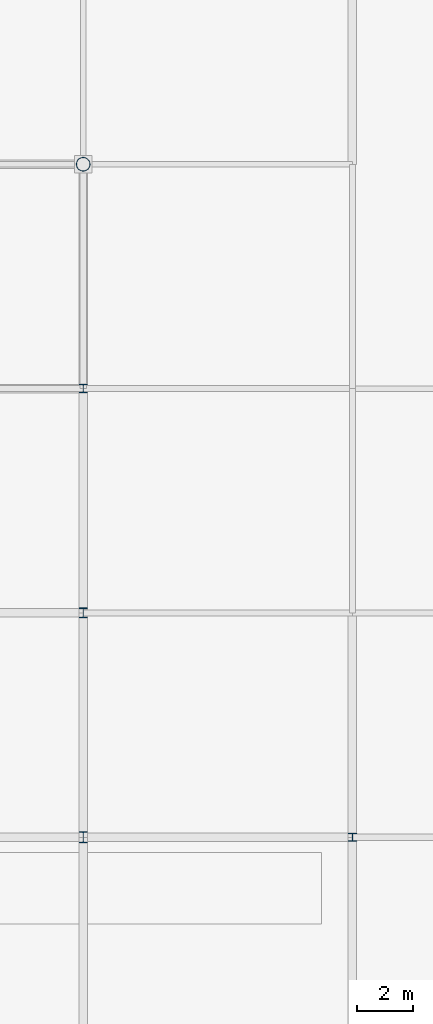
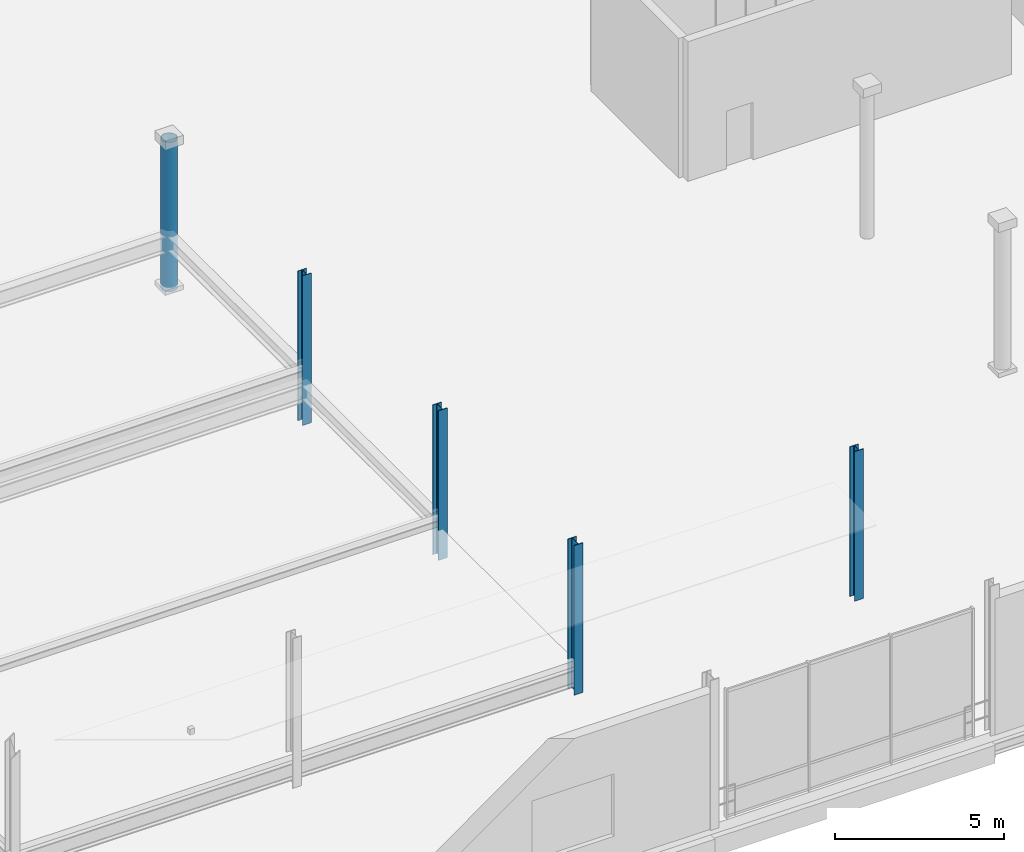
# One storey, part 20 of 129: 5 columns.
"""IFC4 building model written with IfcOpenShell, lengths in metres."""

from ifc_helpers import new_model, si_unit, direction, frame, origin, origin_2d, place, context, subcontext, project, spatial, hollow_circle, i_section, extrude, material, material_profile, profile_set, type_object, element, save


model = new_model("IFC4")

# Units and contexts
model_context = context("Model", 3, precision=1e-05, world=origin(), true_north=direction((0.0, 1.0)))
body_context = subcontext(model_context, "Body", "Model", "MODEL_VIEW")
ifc_project = project(units=[si_unit("LENGTHUNIT", "METRE"), si_unit("AREAUNIT", "SQUARE_METRE"), si_unit("VOLUMEUNIT", "CUBIC_METRE"), si_unit("PLANEANGLEUNIT", "RADIAN"), si_unit("MASSUNIT", "GRAM", prefix="KILO")], contexts=[model_context])

# Site, building, storey
site_placement = place(None, origin())
site = spatial("IfcSite", under=ifc_project, at=site_placement, CompositionType="ELEMENT")
building_placement = place(site_placement, origin())
building = spatial("IfcBuilding", under=site, at=building_placement, Name="Danafjord Basin Convention Centre", CompositionType="ELEMENT")
storey_placement = place(building_placement, frame((0.0, 0.0, 6.0)))
storey = spatial("IfcBuildingStorey", under=building, at=storey_placement, Name="L01", CompositionType="ELEMENT", Elevation=6.0)

# Columns
ifc_material = material(Name="Steel S355", Category="steel")
ifc_material_profile_1 = material_profile(ifc_material, hollow_circle(Radius=0.25390625, WallThickness=0.02490234375, at=origin_2d()), Name="CHS 508.0x25.0")
ifc_profile_set_1 = profile_set([ifc_material_profile_1], Name="Steel S355")
column_type_1 = type_object("IfcColumnType", Name="COL-C-CHS508", PredefinedType="COLUMN", material=ifc_profile_set_1)
column_1_placement = place(storey_placement, frame((172.800048828125, 120.0, 0.0), z_axis=(0.0, 0.0, 1.0), x_axis=(1.0, 0.0, 0.0)))
element("IfcColumn", 1, at=column_1_placement, inside=storey, type_object=column_type_1, Name="L01 column C-CHS508 at (172.8, 120.0)", PredefinedType="COLUMN", context=body_context, shape_type="SweptSolid", body=[
    extrude(hollow_circle(Radius=0.25390625, WallThickness=0.02490234375, at=origin_2d()), origin(), (0.0, 0.0, 1.0), 5.39990234375),
])
ifc_material_profile_2 = material_profile(ifc_material, i_section(OverallWidth=0.300048828125, OverallDepth=0.300048828125, WebThickness=0.010986328125, FlangeThickness=0.01904296875, FilletRadius=0.027099609375, at=origin_2d()), Name="HEB 300")
ifc_profile_set_2 = profile_set([ifc_material_profile_2], Name="Steel S355")
column_type_2 = type_object("IfcColumnType", Name="COL-C-HEB300", PredefinedType="COLUMN", material=ifc_profile_set_2)
for number, where, z_axis, x_axis, name in (
    (2, (172.800048828125, 112.0, 0.0), (0.0, 0.0, 1.0), (1.0, 0.0, 0.0), "L01 column C-HEB300 at (172.8, 112.0)"),
    (3, (182.39990234375, 96.0, 0.0), (0.0, 0.0, 1.0), (1.0, 0.0, 0.0), "L01 column C-HEB300 at (182.4, 96.0)"),
):
    element("IfcColumn", number, at=place(storey_placement, frame(where, z_axis=z_axis, x_axis=x_axis)), inside=storey, type_object=column_type_2, Name=name, PredefinedType="COLUMN", context=body_context, shape_type="SweptSolid", body=[
        extrude(i_section(OverallWidth=0.300048828125, OverallDepth=0.300048828125, WebThickness=0.010986328125, FlangeThickness=0.01904296875, FilletRadius=0.027099609375, at=origin_2d()), origin(), (0.0, 0.0, 1.0), 5.39990234375),
    ])
ifc_material_profile_3 = material_profile(ifc_material, i_section(OverallWidth=0.300048828125, OverallDepth=0.360107421875, WebThickness=0.012451171875, FlangeThickness=0.0224609375, FilletRadius=0.027099609375, at=origin_2d()), Name="HEB 360")
ifc_profile_set_3 = profile_set([ifc_material_profile_3], Name="Steel S355")
column_type_3 = type_object("IfcColumnType", Name="COL-C-HEB360", PredefinedType="COLUMN", material=ifc_profile_set_3)
column_2_placement = place(storey_placement, frame((172.800048828125, 104.0, 0.0), z_axis=(0.0, 0.0, 1.0), x_axis=(1.0, 0.0, 0.0)))
element("IfcColumn", 4, at=column_2_placement, inside=storey, type_object=column_type_3, Name="L01 column C-HEB360 at (172.8, 104.0)", PredefinedType="COLUMN", context=body_context, shape_type="SweptSolid", body=[
    extrude(i_section(OverallWidth=0.300048828125, OverallDepth=0.360107421875, WebThickness=0.012451171875, FlangeThickness=0.0224609375, FilletRadius=0.027099609375, at=origin_2d()), origin(), (0.0, 0.0, 1.0), 5.39990234375),
])
ifc_material_profile_4 = material_profile(ifc_material, i_section(OverallWidth=0.300048828125, OverallDepth=0.39990234375, WebThickness=0.013427734375, FlangeThickness=0.02392578125, FilletRadius=0.027099609375, at=origin_2d()), Name="HEB 400")
ifc_profile_set_4 = profile_set([ifc_material_profile_4], Name="Steel S355")
column_type_4 = type_object("IfcColumnType", Name="COL-C-HEB400", PredefinedType="COLUMN", material=ifc_profile_set_4)
column_3_placement = place(storey_placement, frame((172.800048828125, 96.0, 0.0), z_axis=(0.0, 0.0, 1.0), x_axis=(1.0, 0.0, 0.0)))
element("IfcColumn", 5, at=column_3_placement, inside=storey, type_object=column_type_4, Name="L01 column C-HEB400 at (172.8, 96.0)", PredefinedType="COLUMN", context=body_context, shape_type="SweptSolid", body=[
    extrude(i_section(OverallWidth=0.300048828125, OverallDepth=0.39990234375, WebThickness=0.013427734375, FlangeThickness=0.02392578125, FilletRadius=0.027099609375, at=origin_2d()), origin(), (0.0, 0.0, 1.0), 5.39990234375),
])

save(model, "model.ifc")
